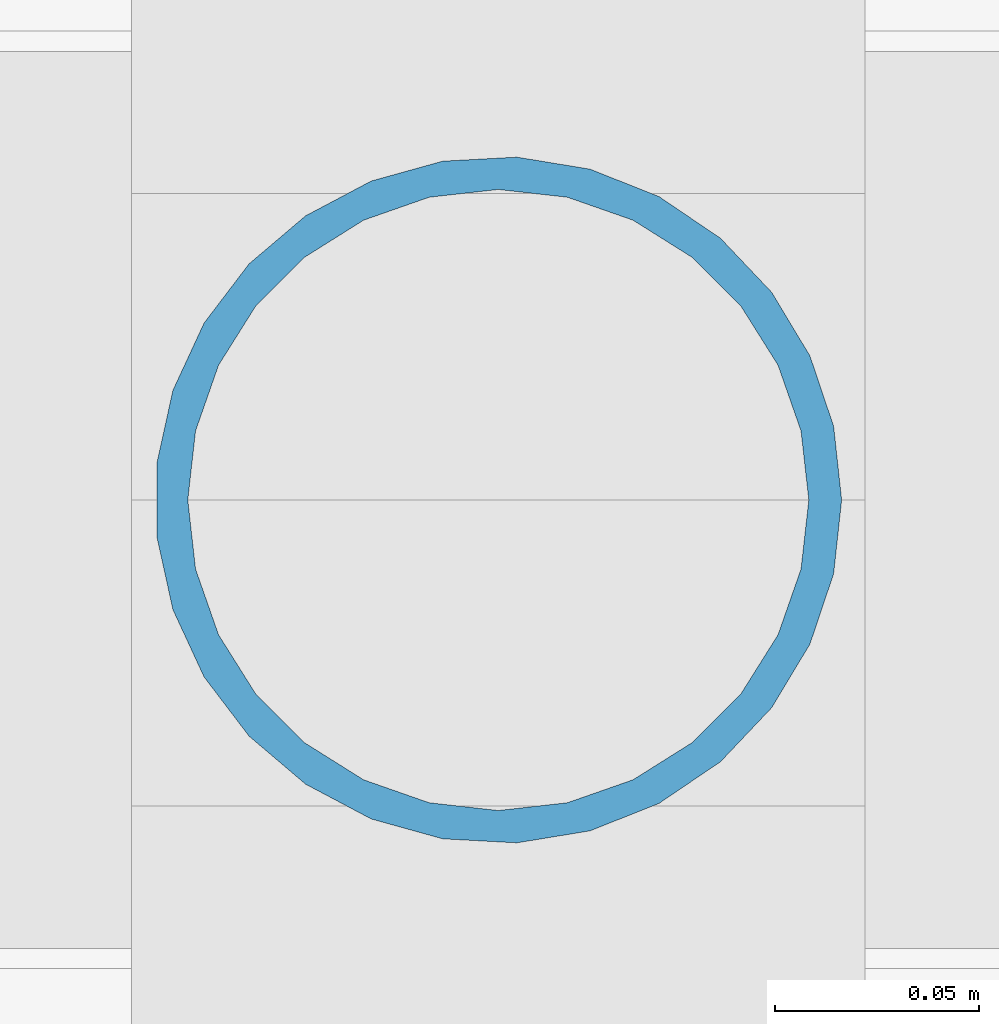
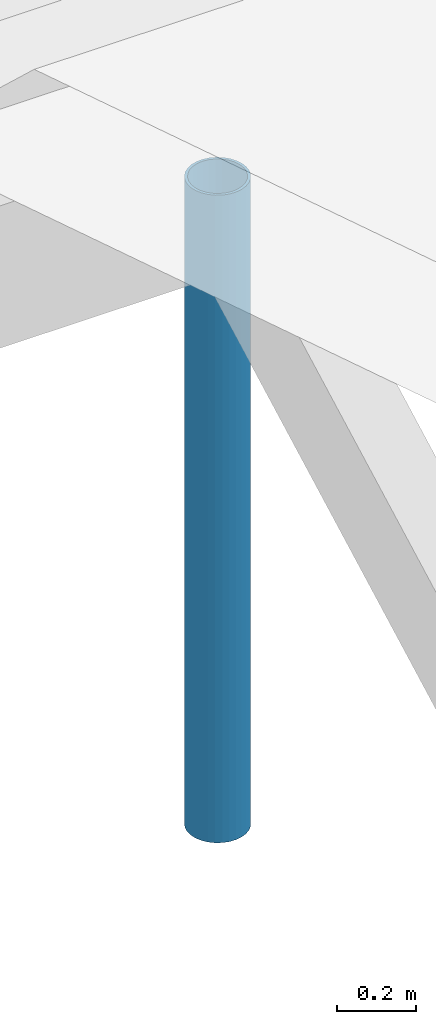
# One storey, part 42 of 82: 1 member.
"""IFC4 building model written with IfcOpenShell, lengths in metres."""

from ifc_helpers import new_model, si_unit, direction, frame, origin, origin_2d, place, context, subcontext, project, spatial, hollow_circle, extrude, material, material_profile, profile_set, type_object, element, save


model = new_model("IFC4")

# Units and contexts
model_context = context("Model", 3, precision=1e-05, world=origin(), true_north=direction((0.0, 1.0)))
body_context = subcontext(model_context, "Body", "Model", "MODEL_VIEW")
ifc_project = project(units=[si_unit("LENGTHUNIT", "METRE"), si_unit("AREAUNIT", "SQUARE_METRE"), si_unit("VOLUMEUNIT", "CUBIC_METRE"), si_unit("PLANEANGLEUNIT", "RADIAN"), si_unit("MASSUNIT", "GRAM", prefix="KILO")], contexts=[model_context])

# Site, building, storey
site_placement = place(None, origin())
site = spatial("IfcSite", under=ifc_project, at=site_placement, CompositionType="ELEMENT")
building_placement = place(site_placement, origin())
building = spatial("IfcBuilding", under=site, at=building_placement, Name="Bramfleet General Hospital", CompositionType="ELEMENT")
storey_placement = place(building_placement, frame((0.0, 0.0, 34.199951171875)))
storey = spatial("IfcBuildingStorey", under=building, at=storey_placement, Name="Roof", CompositionType="ELEMENT", Elevation=34.199951171875)

# Member
ifc_material = material(Name="Steel S355", Category="steel")
ifc_material_profile = material_profile(ifc_material, hollow_circle(Radius=0.084228515625, WallThickness=0.008056640625, at=origin_2d()), Name="CHS 168.3x8.0")
ifc_profile_set = profile_set([ifc_material_profile], Name="Steel S355")
member_type = type_object("IfcMemberType", Name="MEM-SF-DG1", PredefinedType="STRUT", material=ifc_profile_set)
member_placement = place(storey_placement, frame((100.800048828125, 63.0, -0.43994140625), z_axis=(0.0, 0.0, 1.0), x_axis=(1.0, 0.0, 0.0)))
element("IfcMember", 1, at=member_placement, inside=storey, type_object=member_type, Name="Patient House PH-12 Ridge Timber Post 1", PredefinedType="STRUT", context=body_context, shape_type="SweptSolid", body=[
    extrude(hollow_circle(Radius=0.084228515625, WallThickness=0.008056640625, at=origin_2d()), origin(), (0.0, 0.0, 1.0), 2.001220703125),
])

save(model, "model.ifc")
